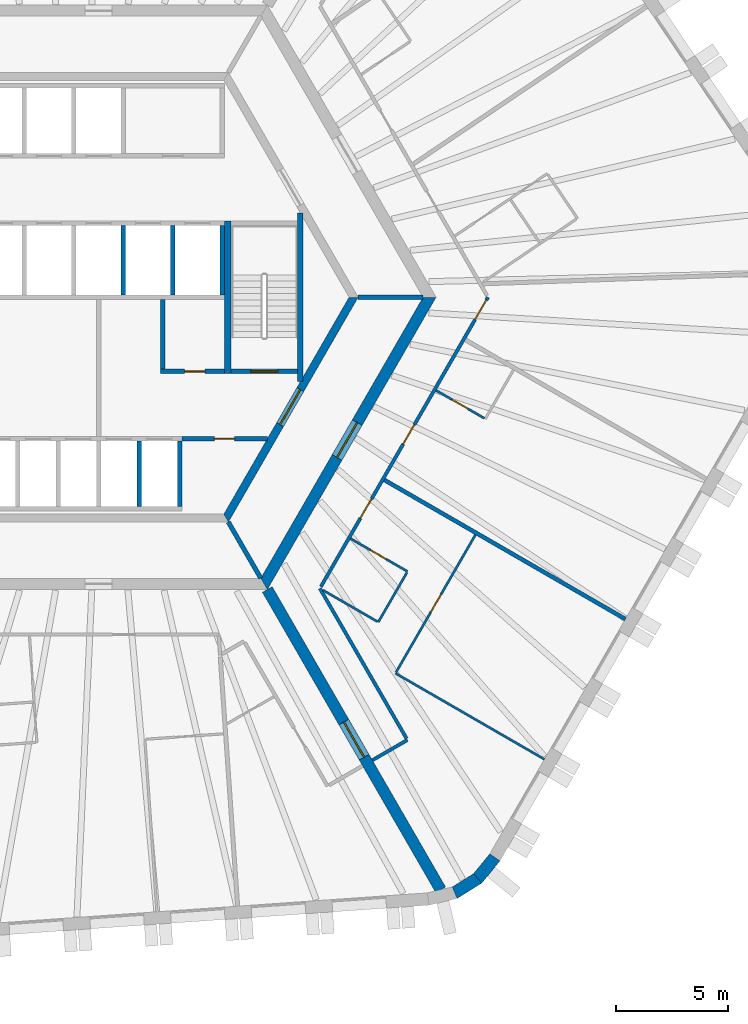
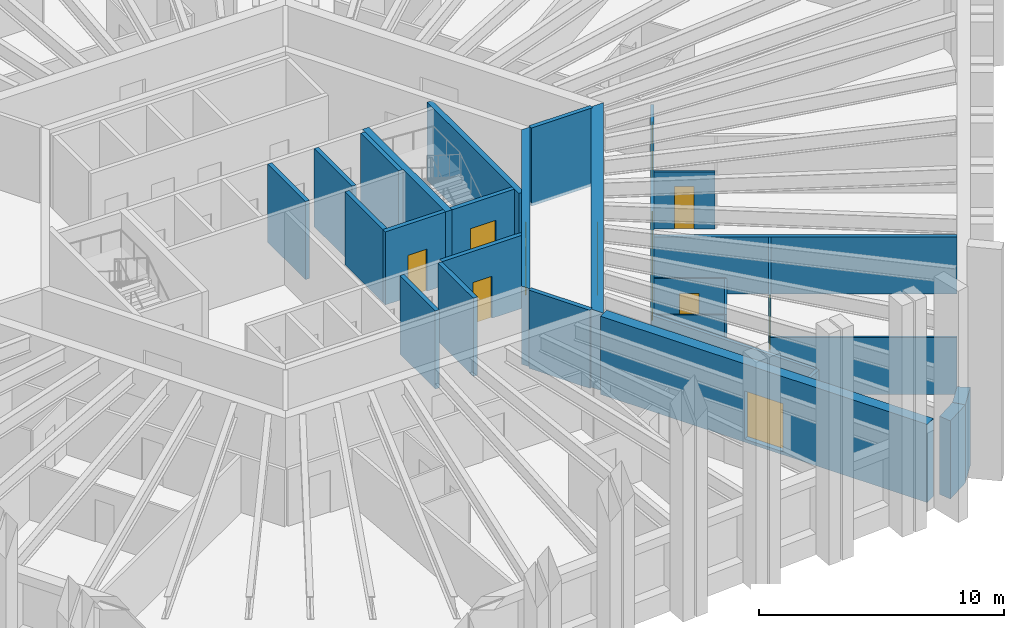
# One storey, part 5 of 10: 28 walls, 12 doors, 12 openings.
"""IFC4 building model written with IfcOpenShell, lengths in metres."""

from ifc_helpers import new_model, si_unit, direction, frame, frame_2d, origin, place, context, subcontext, project, spatial, polyline, rectangle, outline, extrude, material, layer, layer_set, type_object, element, fill, save


model = new_model("IFC4")

# Units and contexts
model_context = context("Model", 3, precision=1e-05, world=origin(), true_north=direction((0.0, 1.0)))
body_context = subcontext(model_context, "Body", "Model", "MODEL_VIEW")
ifc_project = project(units=[si_unit("LENGTHUNIT", "METRE"), si_unit("AREAUNIT", "SQUARE_METRE"), si_unit("VOLUMEUNIT", "CUBIC_METRE"), si_unit("PLANEANGLEUNIT", "RADIAN"), si_unit("MASSUNIT", "GRAM", prefix="KILO")], contexts=[model_context])

# Site, building, storey
site_placement = place(None, origin())
site = spatial("IfcSite", under=ifc_project, at=site_placement, CompositionType="ELEMENT")
building_placement = place(site_placement, origin())
building = spatial("IfcBuilding", under=site, at=building_placement, Name="Tarnside Tower", CompositionType="ELEMENT")
storey_placement = place(building_placement, frame((0.0, 0.0, 238.5)))
storey = spatial("IfcBuildingStorey", under=building, at=storey_placement, Name="L57", CompositionType="ELEMENT", Elevation=238.5)

# Wall, opening, door
ifc_material_1 = material(Name="Gypsum board partition on steel studs", Category="steel")
ifc_layer_1 = layer(ifc_material_1, 0.10009765625)
ifc_layer_set_1 = layer_set([ifc_layer_1], Name="Bathroom wall 100")
wall_type_1 = type_object("IfcWallType", Name="Bathroom wall 100", PredefinedType="PARTITIONING", material=ifc_layer_set_1)
wall_1_placement = place(storey_placement, frame((11.208740234375, -10.73583984375, 0.0), z_axis=(0.0, 0.0, 1.0), x_axis=(0.866046596414, -0.499963291492, 0.0)))
wall_1 = element("IfcWall", 1, at=wall_1_placement, inside=storey, type_object=wall_type_1, Name="Bathroom wall 19098", PredefinedType="PARTITIONING", context=body_context, shape_type="SweptSolid", body=[
    extrude(rectangle(XDim=2.925048828125, YDim=0.10009765625, at=frame_2d((1.46240234375, 0.0))), origin(), (0.0, 0.0, 1.0), 2.837890625),
])
opening_1_placement = place(wall_1_placement, frame((1.02490234375, 0.0, 0.0)))
opening_1 = element("IfcOpeningElement", 2, at=opening_1_placement, cuts=wall_1, Name="Opening D-B1", PredefinedType="OPENING", context=body_context, shape_type="SweptSolid", body=[
    extrude(rectangle(XDim=0.800048828125, YDim=2.10009765625, at=frame_2d((0.39990234375, 1.050048828125))), frame((0.0, 0.06005859375, 0.0), z_axis=(0.0, -1.0, 0.0), x_axis=(1.0, 0.0, 0.0)), (0.0, 0.0, 1.0), 0.1201171875),
])
ifc_material_2 = material(Name="Timber door leaf", Category="wood")
door_type_1 = type_object("IfcDoorType", Name="Bathroom door 800", OperationType="NOTDEFINED", PredefinedType="DOOR", material=ifc_material_2)
door_1_placement = place(opening_1_placement, origin())
door_1 = element("IfcDoor", 3, at=door_1_placement, inside=storey, type_object=door_type_1, Name="Bathroom door 19027", OperationType="SINGLE_SWING_RIGHT", OverallHeight=2.10009765625, OverallWidth=0.800048828125, PredefinedType="DOOR", context=body_context, shape_type="SweptSolid", body=[
    extrude(rectangle(XDim=0.800048828125, YDim=2.10009765625, at=frame_2d((0.39990234375, 1.050048828125))), frame((0.0, 0.02490234375, 0.0), z_axis=(0.0, -1.0, 0.0), x_axis=(1.0, 0.0, 0.0)), (0.0, 0.0, 1.0), 0.050048828125),
])
fill(opening_1, door_1)

# Walls
wall_2_placement = place(storey_placement, frame((13.716796875, -12.24169921875, 0.0), z_axis=(0.0, 0.0, 1.0), x_axis=(-0.499990435942, -0.866030925526, 0.0)))
element("IfcWall", 4, at=wall_2_placement, inside=storey, type_object=wall_type_1, Name="Bathroom wall 19099", PredefinedType="PARTITIONING", context=body_context, shape_type="SweptSolid", body=[
    extrude(rectangle(XDim=2.5498046875, YDim=0.10009765625, at=frame_2d((1.27490234375, 0.0))), origin(), (0.0, 0.0, 1.0), 2.837890625),
])
wall_3_placement = place(storey_placement, frame((12.398681640625, -14.425048828125, 0.0), z_axis=(0.0, 0.0, 1.0), x_axis=(-0.866018616679, 0.500011755427, 0.0)))
element("IfcWall", 5, at=wall_3_placement, inside=storey, type_object=wall_type_1, Name="Bathroom wall 19100", PredefinedType="PARTITIONING", context=body_context, shape_type="SweptSolid", body=[
    extrude(rectangle(XDim=2.80029296875, YDim=0.10009765625, at=frame_2d((1.400146484375, 0.0))), origin(), (0.0, 0.0, 1.0), 2.837890625),
])

# Wall, opening, door
wall_4_placement = place(storey_placement, frame((17.15771484375, -5.382080078125, 0.0), z_axis=(0.0, 0.0, 1.0), x_axis=(-0.866031185235, 0.4999899861, 0.0)))
wall_4 = element("IfcWall", 6, at=wall_4_placement, inside=storey, type_object=wall_type_1, Name="Bathroom wall 19106", PredefinedType="PARTITIONING", context=body_context, shape_type="SweptSolid", body=[
    extrude(rectangle(XDim=2.47509765625, YDim=0.10009765625, at=frame_2d((1.237548828125, 0.0))), origin(), (0.0, 0.0, 1.0), 2.837890625),
])
opening_2_placement = place(wall_4_placement, frame((0.85009765625, 0.0, 0.0)))
opening_2 = element("IfcOpeningElement", 7, at=opening_2_placement, cuts=wall_4, Name="Opening D-B1", PredefinedType="OPENING", context=body_context, shape_type="SweptSolid", body=[
    extrude(rectangle(XDim=0.800048828125, YDim=2.10009765625, at=frame_2d((0.39990234375, 1.050048828125))), frame((0.0, 0.06005859375, 0.0), z_axis=(0.0, -1.0, 0.0), x_axis=(1.0, 0.0, 0.0)), (0.0, 0.0, 1.0), 0.1201171875),
])
door_2_placement = place(opening_2_placement, origin())
door_2 = element("IfcDoor", 8, at=door_2_placement, inside=storey, type_object=door_type_1, Name="Bathroom door 19030", OperationType="SINGLE_SWING_LEFT", OverallHeight=2.10009765625, OverallWidth=0.800048828125, PredefinedType="DOOR", context=body_context, shape_type="SweptSolid", body=[
    extrude(rectangle(XDim=0.800048828125, YDim=2.10009765625, at=frame_2d((0.39990234375, 1.050048828125))), frame((0.0, 0.02490234375, 0.0), z_axis=(0.0, -1.0, 0.0), x_axis=(1.0, 0.0, 0.0)), (0.0, 0.0, 1.0), 0.050048828125),
])
fill(opening_2, door_2)

ifc_material_3 = material(Name="Concrete C50/60", Category="concrete")
ifc_layer_2 = layer(ifc_material_3, 0.35009765625)
ifc_layer_set_2 = layer_set([ifc_layer_2], Name="Core block wall 350 C50/60")
wall_type_2 = type_object("IfcWallType", Name="Core block wall 350 C50/60", PredefinedType="SHEAR", material=ifc_layer_set_2)
wall_5_placement = place(storey_placement, frame((5.672607421875, -9.824951171875, -0.14990234375), z_axis=(0.0, 0.0, 1.0), x_axis=(0.499995046907, 0.866028263435, 0.0)))
wall_5 = element("IfcWall", 9, at=wall_5_placement, inside=storey, type_object=wall_type_2, Name="L57 core block wall face 5", PredefinedType="SHEAR", context=body_context, shape_type="SweptSolid", body=[
    extrude(outline(polyline([(-0.10107421875, -0.175048828125), (11.44580078125, -0.175048828125), (11.24365234375, 0.175048828125), (0.10107421875, 0.175048828125), (-0.10107421875, -0.175048828125)])), origin(), (0.0, 0.0, 1.0), 3.89990234375),
])
opening_3_placement = place(wall_5_placement, frame((4.80126953125, 0.0, 0.14990234375)))
opening_3 = element("IfcOpeningElement", 10, at=opening_3_placement, cuts=wall_5, Name="Opening CD-FFL", PredefinedType="OPENING", context=body_context, shape_type="SweptSolid", body=[
    extrude(rectangle(XDim=1.800048828125, YDim=2.39990234375, at=frame_2d((0.89990234375, 1.199951171875))), frame((0.0, 0.18505859375, 0.0), z_axis=(0.0, -1.0, 0.0), x_axis=(1.0, 0.0, 0.0)), (0.0, 0.0, 1.0), 0.3701171875),
])
ifc_material_4 = material(Name="Steel fire door", Category="steel")
door_type_2 = type_object("IfcDoorType", Name="Firefighting lobby double door FD60S 1800x2400", OperationType="NOTDEFINED", PredefinedType="DOOR", material=ifc_material_4)
door_3_placement = place(opening_3_placement, origin())
door_3 = element("IfcDoor", 11, at=door_3_placement, inside=storey, type_object=door_type_2, Name="L57 lobby block door P4", OperationType="DOUBLE_DOOR_SINGLE_SWING", OverallHeight=2.39990234375, OverallWidth=1.800048828125, PredefinedType="DOOR", context=body_context, shape_type="SweptSolid", body=[
    extrude(rectangle(XDim=1.800048828125, YDim=2.39990234375, at=frame_2d((0.89990234375, 1.199951171875))), frame((0.0, 0.02490234375, 0.0), z_axis=(0.0, -1.0, 0.0), x_axis=(1.0, 0.0, 0.0)), (0.0, 0.0, 1.0), 0.050048828125),
])
fill(opening_3, door_3)

ifc_material_5 = material(Name="Concrete C40/50", Category="concrete")
ifc_layer_3 = layer(ifc_material_5, 0.199951171875)
ifc_layer_set_3 = layer_set([ifc_layer_3], Name="Core room partition 200 C40/50")
wall_type_3 = type_object("IfcWallType", Name="Core room partition 200 C40/50", PredefinedType="PARTITIONING", material=ifc_layer_set_3)
wall_6_placement = place(storey_placement, frame((2.75, -3.300048828125, 0.0), z_axis=(0.0, 0.0, 1.0), x_axis=(1.0, 0.0, 0.0)))
wall_6 = element("IfcWall", 12, at=wall_6_placement, inside=storey, type_object=wall_type_3, Name="L57 core partition R3S1", PredefinedType="PARTITIONING", context=body_context, shape_type="SweptSolid", body=[
    extrude(rectangle(XDim=2.85009765625, YDim=0.199951171875, at=frame_2d((1.425048828125, 0.0))), origin(), (0.0, 0.0, 1.0), 3.64990234375),
])
opening_4_placement = place(wall_6_placement, frame((1.074951171875, 0.0, 0.0)))
opening_4 = element("IfcOpeningElement", 13, at=opening_4_placement, cuts=wall_6, Name="Opening CD-room", PredefinedType="OPENING", context=body_context, shape_type="SweptSolid", body=[
    extrude(rectangle(XDim=0.89990234375, YDim=2.10009765625, at=frame_2d((0.449951171875, 1.050048828125))), frame((0.0, 0.10986328125, 0.0), z_axis=(0.0, -1.0, 0.0), x_axis=(1.0, 0.0, 0.0)), (0.0, 0.0, 1.0), 0.219970703125),
])
door_type_3 = type_object("IfcDoorType", Name="Room door FD60 900x2100", OperationType="NOTDEFINED", PredefinedType="DOOR", material=ifc_material_4)
door_4_placement = place(opening_4_placement, origin())
door_4 = element("IfcDoor", 14, at=door_4_placement, inside=storey, type_object=door_type_3, Name="L57 core room door SR1", OperationType="SINGLE_SWING_LEFT", OverallHeight=2.10009765625, OverallWidth=0.89990234375, PredefinedType="DOOR", context=body_context, shape_type="SweptSolid", body=[
    extrude(rectangle(XDim=0.89990234375, YDim=2.10009765625, at=frame_2d((0.449951171875, 1.050048828125))), frame((0.0, 0.02490234375, 0.0), z_axis=(0.0, -1.0, 0.0), x_axis=(1.0, 0.0, 0.0)), (0.0, 0.0, 1.0), 0.050048828125),
])
fill(opening_4, door_4)

# Wall
wall_7_placement = place(storey_placement, frame((2.85009765625, -3.199951171875, 0.0), z_axis=(0.0, 0.0, 1.0), x_axis=(0.0, 1.0, 0.0)))
element("IfcWall", 15, at=wall_7_placement, inside=storey, type_object=wall_type_3, Name="L57 core partition R3P1a", PredefinedType="PARTITIONING", context=body_context, shape_type="SweptSolid", body=[
    extrude(rectangle(XDim=3.099853515625, YDim=0.199951171875, at=frame_2d((1.5498046875, 0.0))), origin(), (0.0, 0.0, 1.0), 3.64990234375),
])

# Wall, opening, door
wall_8_placement = place(storey_placement, frame((3.699951171875, -6.300048828125, 0.0), z_axis=(0.0, 0.0, 1.0), x_axis=(1.0, 0.0, 0.0)))
wall_8 = element("IfcWall", 16, at=wall_8_placement, inside=storey, type_object=wall_type_3, Name="L57 core partition R4X", PredefinedType="PARTITIONING", context=body_context, shape_type="SweptSolid", body=[
    extrude(rectangle(XDim=3.8056640625, YDim=0.199951171875, at=frame_2d((1.90283203125, 0.0))), origin(), (0.0, 0.0, 1.0), 3.64990234375),
])
opening_5_placement = place(wall_8_placement, frame((1.452880859375, 0.0, 0.0)))
opening_5 = element("IfcOpeningElement", 17, at=opening_5_placement, cuts=wall_8, Name="Opening CD-room", PredefinedType="OPENING", context=body_context, shape_type="SweptSolid", body=[
    extrude(rectangle(XDim=0.89990234375, YDim=2.10009765625, at=frame_2d((0.449951171875, 1.050048828125))), frame((0.0, 0.10986328125, 0.0), z_axis=(0.0, -1.0, 0.0), x_axis=(1.0, 0.0, 0.0)), (0.0, 0.0, 1.0), 0.219970703125),
])
door_5_placement = place(opening_5_placement, origin())
door_5 = element("IfcDoor", 18, at=door_5_placement, inside=storey, type_object=door_type_3, Name="L57 core room door RX", OperationType="SINGLE_SWING_LEFT", OverallHeight=2.10009765625, OverallWidth=0.89990234375, PredefinedType="DOOR", context=body_context, shape_type="SweptSolid", body=[
    extrude(rectangle(XDim=0.89990234375, YDim=2.10009765625, at=frame_2d((0.449951171875, 1.050048828125))), frame((0.0, 0.02490234375, 0.0), z_axis=(0.0, -1.0, 0.0), x_axis=(1.0, 0.0, 0.0)), (0.0, 0.0, 1.0), 0.050048828125),
])
fill(opening_5, door_5)

ifc_material_6 = material(Name="Concrete C70/85", Category="concrete")
ifc_layer_4 = layer(ifc_material_6, 0.5)
ifc_layer_set_4 = layer_set([ifc_layer_4], Name="Core wall Z2 500 C70/85")
wall_type_4 = type_object("IfcWallType", Name="Core wall Z2 500 C70/85", PredefinedType="SHEAR", material=ifc_layer_set_4)
wall_9_placement = place(storey_placement, frame((7.361083984375, -12.75, -0.14990234375), z_axis=(0.0, 0.0, 1.0), x_axis=(0.50000571537, 0.866022103989, 0.0)))
wall_9 = element("IfcWall", 19, at=wall_9_placement, inside=storey, type_object=wall_type_4, Name="L57 core wall face 5", PredefinedType="SHEAR", context=body_context, shape_type="SweptSolid", body=[
    extrude(outline(polyline([(-0.144287109375, -0.25), (14.86669921875, -0.25), (14.578125, 0.25), (0.144287109375, 0.25), (-0.144287109375, -0.25)])), origin(), (0.0, 0.0, 1.0), 3.89990234375),
])
opening_6_placement = place(wall_9_placement, frame((6.489990234375, 0.0, 0.14990234375)))
opening_6 = element("IfcOpeningElement", 20, at=opening_6_placement, cuts=wall_9, Name="Opening CD-FFL", PredefinedType="OPENING", context=body_context, shape_type="SweptSolid", body=[
    extrude(rectangle(XDim=1.800048828125, YDim=2.39990234375, at=frame_2d((0.89990234375, 1.199951171875))), frame((0.0, 0.260009765625, 0.0), z_axis=(0.0, -1.0, 0.0), x_axis=(1.0, 0.0, 0.0)), (0.0, 0.0, 1.0), 0.52001953125),
])
door_6_placement = place(opening_6_placement, origin())
door_6 = element("IfcDoor", 21, at=door_6_placement, inside=storey, type_object=door_type_2, Name="L57 core door P4", OperationType="DOUBLE_DOOR_SINGLE_SWING", OverallHeight=2.39990234375, OverallWidth=1.800048828125, PredefinedType="DOOR", context=body_context, shape_type="SweptSolid", body=[
    extrude(rectangle(XDim=1.800048828125, YDim=2.39990234375, at=frame_2d((0.89990234375, 1.199951171875))), frame((0.0, 0.02490234375, 0.0), z_axis=(0.0, -1.0, 0.0), x_axis=(1.0, 0.0, 0.0)), (0.0, 0.0, 1.0), 0.050048828125),
])
fill(opening_6, door_6)

wall_10_placement = place(storey_placement, frame((7.505615234375, -13.0, -0.14990234375), z_axis=(0.0, 0.0, 1.0), x_axis=(0.499988271576, -0.866032175087, 0.0)))
wall_10 = element("IfcWall", 22, at=wall_10_placement, inside=storey, type_object=wall_type_4, Name="L57 spine wall 3", PredefinedType="SHEAR", context=body_context, shape_type="SweptSolid", body=[
    extrude(rectangle(XDim=15.423583984375, YDim=0.5, at=frame_2d((7.7119140625, 0.0))), origin(), (0.0, 0.0, 1.0), 3.89990234375),
])
opening_7_placement = place(wall_10_placement, frame((6.811767578125, 0.0, 0.14990234375)))
opening_7 = element("IfcOpeningElement", 23, at=opening_7_placement, cuts=wall_10, Name="Opening CD-SPN", PredefinedType="OPENING", context=body_context, shape_type="SweptSolid", body=[
    extrude(rectangle(XDim=1.800048828125, YDim=2.39990234375, at=frame_2d((0.89990234375, 1.199951171875))), frame((0.0, 0.260009765625, 0.0), z_axis=(0.0, -1.0, 0.0), x_axis=(1.0, 0.0, 0.0)), (0.0, 0.0, 1.0), 0.52001953125),
])
door_type_4 = type_object("IfcDoorType", Name="Spine passage double door FD60 1800x2400", OperationType="NOTDEFINED", PredefinedType="DOOR", material=ifc_material_4)
door_7_placement = place(opening_7_placement, origin())
door_7 = element("IfcDoor", 24, at=door_7_placement, inside=storey, type_object=door_type_4, Name="L57 spine passage door 3", OperationType="DOUBLE_DOOR_SINGLE_SWING", OverallHeight=2.39990234375, OverallWidth=1.800048828125, PredefinedType="DOOR", context=body_context, shape_type="SweptSolid", body=[
    extrude(rectangle(XDim=1.800048828125, YDim=2.39990234375, at=frame_2d((0.89990234375, 1.199951171875))), frame((0.0, 0.02490234375, 0.0), z_axis=(0.0, -1.0, 0.0), x_axis=(1.0, 0.0, 0.0)), (0.0, 0.0, 1.0), 0.050048828125),
])
fill(opening_7, door_7)

# Walls
ifc_layer_5 = layer(ifc_material_1, 0.14990234375)
ifc_layer_set_5 = layer_set([ifc_layer_5], Name="Corridor wall 150 EI 60")
wall_type_5 = type_object("IfcWallType", Name="Corridor wall 150 EI 60", PredefinedType="PARTITIONING", material=ifc_layer_set_5)
wall_11_placement = place(storey_placement, frame((12.177978515625, -20.5927734375, 0.0), z_axis=(0.0, 0.0, 1.0), x_axis=(0.866047807691, 0.499961193289, 0.0)))
element("IfcWall", 25, at=wall_11_placement, inside=storey, type_object=wall_type_5, Name="Corridor wall 19034", PredefinedType="PARTITIONING", context=body_context, shape_type="SweptSolid", body=[
    extrude(rectangle(XDim=1.800048828125, YDim=0.14990234375, at=frame_2d((0.89990234375, 0.0))), origin(), (0.0, 0.0, 1.0), 2.837890625),
])
wall_12_placement = place(storey_placement, frame((13.69921875, -19.6279296875, 0.0), z_axis=(0.0, 0.0, 1.0), x_axis=(-0.499993780622, 0.866028994514, 0.0)))
element("IfcWall", 26, at=wall_12_placement, inside=storey, type_object=wall_type_5, Name="Corridor wall 19035", PredefinedType="PARTITIONING", context=body_context, shape_type="SweptSolid", body=[
    extrude(rectangle(XDim=7.7109375, YDim=0.14990234375, at=frame_2d((3.85546875, 0.0))), origin(), (0.0, 0.0, 1.0), 2.837890625),
])

# Wall, openings, doors
wall_13_placement = place(storey_placement, frame((9.88720703125, -12.875, 0.0), z_axis=(0.0, 0.0, 1.0), x_axis=(0.499998228944, 0.866026426302, 0.0)))
wall_13 = element("IfcWall", 27, at=wall_13_placement, inside=storey, type_object=wall_type_5, Name="Corridor wall 19036", PredefinedType="PARTITIONING", context=body_context, shape_type="SweptSolid", body=[
    extrude(rectangle(XDim=14.86669921875, YDim=0.14990234375, at=frame_2d((7.433349609375, 0.0))), origin(), (0.0, 0.0, 1.0), 2.837890625),
])
opening_8_placement = place(wall_13_placement, frame((3.518798828125, 0.0, 0.0)))
opening_8 = element("IfcOpeningElement", 28, at=opening_8_placement, cuts=wall_13, Name="Opening D-E1", PredefinedType="OPENING", context=body_context, shape_type="SweptSolid", body=[
    extrude(rectangle(XDim=1.0, YDim=2.10009765625, at=frame_2d((0.5, 1.050048828125))), frame((0.0, 0.0849609375, 0.0), z_axis=(0.0, -1.0, 0.0), x_axis=(1.0, 0.0, 0.0)), (0.0, 0.0, 1.0), 0.169921875),
])
opening_9_placement = place(wall_13_placement, frame((7.324462890625, 0.0, 0.0)))
opening_9 = element("IfcOpeningElement", 29, at=opening_9_placement, cuts=wall_13, Name="Opening D-E1", PredefinedType="OPENING", context=body_context, shape_type="SweptSolid", body=[
    extrude(rectangle(XDim=1.0, YDim=2.10009765625, at=frame_2d((0.5, 1.050048828125))), frame((0.0, 0.0849609375, 0.0), z_axis=(0.0, -1.0, 0.0), x_axis=(1.0, 0.0, 0.0)), (0.0, 0.0, 1.0), 0.169921875),
])
opening_10_placement = place(wall_13_placement, frame((13.716796875, 0.0, 0.0)))
opening_10 = element("IfcOpeningElement", 30, at=opening_10_placement, cuts=wall_13, Name="Opening D-E1", PredefinedType="OPENING", context=body_context, shape_type="SweptSolid", body=[
    extrude(rectangle(XDim=1.0, YDim=2.10009765625, at=frame_2d((0.5, 1.050048828125))), frame((0.0, 0.0849609375, 0.0), z_axis=(0.0, -1.0, 0.0), x_axis=(1.0, 0.0, 0.0)), (0.0, 0.0, 1.0), 0.169921875),
])
door_type_5 = type_object("IfcDoorType", Name="Unit entrance door 1000 FD30S", OperationType="NOTDEFINED", PredefinedType="DOOR", material=ifc_material_2)
door_8_placement = place(opening_8_placement, origin())
door_8 = element("IfcDoor", 31, at=door_8_placement, inside=storey, type_object=door_type_5, Name="Unit door 19026", OperationType="SINGLE_SWING_RIGHT", OverallHeight=2.10009765625, OverallWidth=1.0, PredefinedType="DOOR", context=body_context, shape_type="SweptSolid", body=[
    extrude(rectangle(XDim=1.0, YDim=2.10009765625, at=frame_2d((0.5, 1.050048828125))), frame((0.0, 0.02490234375, 0.0), z_axis=(0.0, -1.0, 0.0), x_axis=(1.0, 0.0, 0.0)), (0.0, 0.0, 1.0), 0.050048828125),
])
fill(opening_8, door_8)
door_9_placement = place(opening_9_placement, origin())
door_9 = element("IfcDoor", 32, at=door_9_placement, inside=storey, type_object=door_type_5, Name="Unit door 19029", OperationType="SINGLE_SWING_LEFT", OverallHeight=2.10009765625, OverallWidth=1.0, PredefinedType="DOOR", context=body_context, shape_type="SweptSolid", body=[
    extrude(rectangle(XDim=1.0, YDim=2.10009765625, at=frame_2d((0.5, 1.050048828125))), frame((0.0, 0.02490234375, 0.0), z_axis=(0.0, -1.0, 0.0), x_axis=(1.0, 0.0, 0.0)), (0.0, 0.0, 1.0), 0.050048828125),
])
fill(opening_9, door_9)
door_10_placement = place(opening_10_placement, origin())
door_10 = element("IfcDoor", 33, at=door_10_placement, inside=storey, type_object=door_type_5, Name="Unit door 19031", OperationType="SINGLE_SWING_LEFT", OverallHeight=2.10009765625, OverallWidth=1.0, PredefinedType="DOOR", context=body_context, shape_type="SweptSolid", body=[
    extrude(rectangle(XDim=1.0, YDim=2.10009765625, at=frame_2d((0.5, 1.050048828125))), frame((0.0, 0.02490234375, 0.0), z_axis=(0.0, -1.0, 0.0), x_axis=(1.0, 0.0, 0.0)), (0.0, 0.0, 1.0), 0.050048828125),
])
fill(opening_10, door_10)

# Walls
ifc_layer_6 = layer(ifc_material_1, 0.179931640625)
ifc_layer_set_6 = layer_set([ifc_layer_6], Name="Demising wall 180 EI 60")
wall_type_6 = type_object("IfcWallType", Name="Demising wall 180 EI 60", PredefinedType="PARTITIONING", material=ifc_layer_set_6)
wall_14_placement = place(storey_placement, frame((23.431396484375, -14.315673828125, 0.0), z_axis=(0.0, 0.0, 1.0), x_axis=(-0.866024931941, 0.500000817256, 0.0)))
element("IfcWall", 34, at=wall_14_placement, inside=storey, type_object=wall_type_6, Name="Demising wall 19103", PredefinedType="PARTITIONING", context=body_context, shape_type="SweptSolid", body=[
    extrude(rectangle(XDim=12.375, YDim=0.179931640625, at=frame_2d((6.1875, 0.0))), origin(), (0.0, 0.0, 1.0), 2.837890625),
])
ifc_layer_7 = layer(ifc_material_5, 0.199951171875)
ifc_layer_set_7 = layer_set([ifc_layer_7], Name="Lift shaft wall 200 C40/50")
wall_type_7 = type_object("IfcWallType", Name="Lift shaft wall 200 C40/50", PredefinedType="SHEAR", material=ifc_layer_set_7)
for number, where, z_axis, x_axis, name in (
    (35, (1.10009765625, 0.10009765625, -0.25), (0.0, 0.0, 1.0), (0.0, 1.0, 0.0), "L57 lift shaft partition R24"),
    (36, (3.300048828125, 0.10009765625, -0.25), (0.0, 0.0, 1.0), (0.0, 1.0, 0.0), "L57 lift shaft partition R25"),
    (37, (5.5, 0.10009765625, -0.25), (0.0, 0.0, 1.0), (0.0, 1.0, 0.0), "L57 lift shaft partition R26"),
):
    element("IfcWall", number, at=place(storey_placement, frame(where, z_axis=z_axis, x_axis=x_axis)), inside=storey, type_object=wall_type_7, Name=name, PredefinedType="SHEAR", context=body_context, shape_type="SweptSolid", body=[
        extrude(rectangle(XDim=3.099853515625, YDim=0.199951171875, at=frame_2d((1.5498046875, 0.0))), origin(), (0.0, 0.0, 1.0), 3.89990234375),
    ])
for number, where, z_axis, x_axis, name in (
    (38, (1.800048828125, -9.300048828125, -0.25), (0.0, 0.0, 1.0), (0.0, 1.0, 0.0), "L57 lift shaft partition R45"),
    (39, (3.60009765625, -9.300048828125, -0.25), (0.0, 0.0, 1.0), (0.0, 1.0, 0.0), "L57 lift shaft partition R46"),
):
    element("IfcWall", number, at=place(storey_placement, frame(where, z_axis=z_axis, x_axis=x_axis)), inside=storey, type_object=wall_type_7, Name=name, PredefinedType="SHEAR", context=body_context, shape_type="SweptSolid", body=[
        extrude(rectangle(XDim=2.900146484375, YDim=0.199951171875, at=frame_2d((1.4501953125, 0.0))), origin(), (0.0, 0.0, 1.0), 3.89990234375),
    ])
for number, where, z_axis, x_axis, name in (
    (40, (11.547119140625, 0.0, -0.14990234375), (0.0, 0.0, 1.0), (1.0, 0.0, 0.0), "L57 core partition AR0"),
    (41, (5.7734375, -10.0, -0.14990234375), (0.0, 0.0, 1.0), (0.499995765644, -0.866027848477, 0.0), "L57 core partition AR300"),
):
    element("IfcWall", number, at=place(storey_placement, frame(where, z_axis=z_axis, x_axis=x_axis)), inside=storey, type_object=wall_type_7, Name=name, PredefinedType="SHEAR", context=body_context, shape_type="SweptSolid", body=[
        extrude(rectangle(XDim=2.88671875, YDim=0.199951171875, at=frame_2d((1.443359375, 0.0))), origin(), (0.0, 0.0, 1.0), 3.89990234375),
    ])

# Wall, opening, door
wall_15_placement = place(storey_placement, frame((5.89990234375, -3.300048828125, -0.25), z_axis=(0.0, 0.0, 1.0), x_axis=(1.0, 0.0, 0.0)))
wall_15 = element("IfcWall", 42, at=wall_15_placement, inside=storey, type_object=wall_type_7, Name="L57 stair 1 enclosure cap wall s", PredefinedType="SHEAR", context=body_context, shape_type="SweptSolid", body=[
    extrude(rectangle(XDim=2.9501953125, YDim=0.199951171875, at=frame_2d((1.47509765625, 0.0))), origin(), (0.0, 0.0, 1.0), 3.89990234375),
])
opening_11_placement = place(wall_15_placement, frame((0.875, 0.0, 0.25)))
opening_11 = element("IfcOpeningElement", 43, at=opening_11_placement, cuts=wall_15, Name="Opening CD-STR", PredefinedType="OPENING", context=body_context, shape_type="SweptSolid", body=[
    extrude(rectangle(XDim=1.199951171875, YDim=2.39990234375, at=frame_2d((0.60009765625, 1.199951171875))), frame((0.0, 0.10986328125, 0.0), z_axis=(0.0, -1.0, 0.0), x_axis=(1.0, 0.0, 0.0)), (0.0, 0.0, 1.0), 0.219970703125),
])
door_type_6 = type_object("IfcDoorType", Name="Stair door FD60S 1200x2400", OperationType="NOTDEFINED", PredefinedType="DOOR", material=ifc_material_4)
door_11_placement = place(opening_11_placement, origin())
door_11 = element("IfcDoor", 44, at=door_11_placement, inside=storey, type_object=door_type_6, Name="L57 stair 1 door", OperationType="SINGLE_SWING_LEFT", OverallHeight=2.39990234375, OverallWidth=1.199951171875, PredefinedType="DOOR", context=body_context, shape_type="SweptSolid", body=[
    extrude(rectangle(XDim=1.199951171875, YDim=2.39990234375, at=frame_2d((0.60009765625, 1.199951171875))), frame((0.0, 0.02490234375, 0.0), z_axis=(0.0, -1.0, 0.0), x_axis=(1.0, 0.0, 0.0)), (0.0, 0.0, 1.0), 0.050048828125),
])
fill(opening_11, door_11)

# Wall
ifc_layer_8 = layer(ifc_material_1, 0.10009765625)
ifc_layer_set_8 = layer_set([ifc_layer_8], Name="Partition 100")
wall_type_8 = type_object("IfcWallType", Name="Partition 100", PredefinedType="PARTITIONING", material=ifc_layer_set_8)
wall_16_placement = place(storey_placement, frame((19.831298828125, -20.551025390625, 0.0), z_axis=(0.0, 0.0, 1.0), x_axis=(-0.866025084624, 0.500000552801, 0.0)))
element("IfcWall", 45, at=wall_16_placement, inside=storey, type_object=wall_type_8, Name="Partition wall 19101", PredefinedType="PARTITIONING", context=body_context, shape_type="SweptSolid", body=[
    extrude(rectangle(XDim=7.64990234375, YDim=0.10009765625, at=frame_2d((3.824951171875, 0.0))), origin(), (0.0, 0.0, 1.0), 2.837890625),
])

# Wall, opening, door
wall_17_placement = place(storey_placement, frame((13.231201171875, -16.682861328125, 0.0), z_axis=(0.0, 0.0, 1.0), x_axis=(0.499995846692, 0.866027801685, 0.0)))
wall_17 = element("IfcWall", 46, at=wall_17_placement, inside=storey, type_object=wall_type_8, Name="Partition wall 19102", PredefinedType="PARTITIONING", context=body_context, shape_type="SweptSolid", body=[
    extrude(rectangle(XDim=7.06005859375, YDim=0.10009765625, at=frame_2d((3.530029296875, 0.0))), origin(), (0.0, 0.0, 1.0), 2.837890625),
])
opening_12_placement = place(wall_17_placement, frame((3.10009765625, 0.0, 0.0)))
opening_12 = element("IfcOpeningElement", 47, at=opening_12_placement, cuts=wall_17, Name="Opening D-I1", PredefinedType="OPENING", context=body_context, shape_type="SweptSolid", body=[
    extrude(rectangle(XDim=0.89990234375, YDim=2.10009765625, at=frame_2d((0.449951171875, 1.050048828125))), frame((0.0, 0.06005859375, 0.0), z_axis=(0.0, -1.0, 0.0), x_axis=(1.0, 0.0, 0.0)), (0.0, 0.0, 1.0), 0.1201171875),
])
door_type_7 = type_object("IfcDoorType", Name="Internal door 900", OperationType="NOTDEFINED", PredefinedType="DOOR", material=ifc_material_2)
door_12_placement = place(opening_12_placement, origin())
door_12 = element("IfcDoor", 48, at=door_12_placement, inside=storey, type_object=door_type_7, Name="Internal door 19028", OperationType="SINGLE_SWING_LEFT", OverallHeight=2.10009765625, OverallWidth=0.89990234375, PredefinedType="DOOR", context=body_context, shape_type="SweptSolid", body=[
    extrude(rectangle(XDim=0.89990234375, YDim=2.10009765625, at=frame_2d((0.449951171875, 1.050048828125))), frame((0.0, 0.02490234375, 0.0), z_axis=(0.0, -1.0, 0.0), x_axis=(1.0, 0.0, 0.0)), (0.0, 0.0, 1.0), 0.050048828125),
])
fill(opening_12, door_12)

# Walls
ifc_layer_9 = layer(ifc_material_5, 0.25)
ifc_layer_set_9 = layer_set([ifc_layer_9], Name="Stair enclosure wall 250 C40/50")
wall_type_9 = type_object("IfcWallType", Name="Stair enclosure wall 250 C40/50", PredefinedType="SHEAR", material=ifc_layer_set_9)
wall_18_placement = place(storey_placement, frame((8.97509765625, -3.7548828125, -0.25), z_axis=(0.0, 0.0, 1.0), x_axis=(0.0, 1.0, 0.0)))
element("IfcWall", 49, at=wall_18_placement, inside=storey, type_object=wall_type_9, Name="L57 stair 1 enclosure wall outer", PredefinedType="SHEAR", context=body_context, shape_type="SweptSolid", body=[
    extrude(rectangle(XDim=7.509765625, YDim=0.25, at=frame_2d((3.7548828125, 0.0))), origin(), (0.0, 0.0, 1.0), 3.89990234375),
])
ifc_layer_10 = layer(ifc_material_5, 0.300048828125)
ifc_layer_set_10 = layer_set([ifc_layer_10], Name="Stair enclosure wall 300 C40/50")
wall_type_10 = type_object("IfcWallType", Name="Stair enclosure wall 300 C40/50", PredefinedType="SHEAR", material=ifc_layer_set_10)
wall_19_placement = place(storey_placement, frame((5.75, -3.39990234375, -0.25), z_axis=(0.0, 0.0, 1.0), x_axis=(0.0, 1.0, 0.0)))
element("IfcWall", 50, at=wall_19_placement, inside=storey, type_object=wall_type_10, Name="L57 stair 1 enclosure wall inner", PredefinedType="SHEAR", context=body_context, shape_type="SweptSolid", body=[
    extrude(rectangle(XDim=6.7998046875, YDim=0.300048828125, at=frame_2d((3.39990234375, 0.0))), origin(), (0.0, 0.0, 1.0), 3.89990234375),
])
ifc_material_7 = material(Name="Facing brick", Category="masonry")
ifc_layer_11 = layer(ifc_material_7, 0.10205078125)
ifc_material_8 = material(Name="Concrete C60/75 precast", Category="concrete")
ifc_layer_12 = layer(ifc_material_8, 0.347900390625)
ifc_material_9 = material(Name="Mineral wool insulation")
ifc_layer_13 = layer(ifc_material_9, 0.10009765625)
ifc_layer_set_11 = layer_set([ifc_layer_11, ifc_layer_12, ifc_layer_13], Name="Tube wall 550 brick faced")
wall_type_11 = type_object("IfcWallType", Name="Tube wall 550 brick faced", PredefinedType="SOLIDWALL", material=ifc_layer_set_11)
wall_20_placement = place(storey_placement, frame((15.839599609375, -26.48876953125, -0.14990234375), z_axis=(0.0, 0.0, 1.0), x_axis=(0.848009655012, 0.52998077796, 0.0)))
element("IfcWall", 51, at=wall_20_placement, inside=storey, type_object=wall_type_11, Name="Tube wall L57 F4 chord 14", PredefinedType="SOLIDWALL", context=body_context, shape_type="SweptSolid", body=[
    extrude(outline(polyline([(-0.045166015625, -0.27490234375), (1.25341796875, -0.27490234375), (1.1630859375, 0.27490234375), (0.045166015625, 0.27490234375), (-0.045166015625, -0.27490234375)])), origin(), (0.0, 0.0, 1.0), 3.89990234375),
])
wall_21_placement = place(storey_placement, frame((16.8642578125, -25.848388671875, -0.14990234375), z_axis=(0.0, 0.0, 1.0), x_axis=(0.633842757806, 0.773461930787, 0.0)))
element("IfcWall", 52, at=wall_21_placement, inside=storey, type_object=wall_type_11, Name="Tube wall L57 F4 chord 15", PredefinedType="SOLIDWALL", context=body_context, shape_type="SweptSolid", body=[
    extrude(outline(polyline([(-0.045166015625, -0.27490234375), (1.230712890625, -0.27490234375), (1.185791015625, 0.27490234375), (0.045166015625, 0.27490234375), (-0.045166015625, -0.27490234375)])), origin(), (0.0, 0.0, 1.0), 3.89990234375),
])

save(model, "model.ifc")
